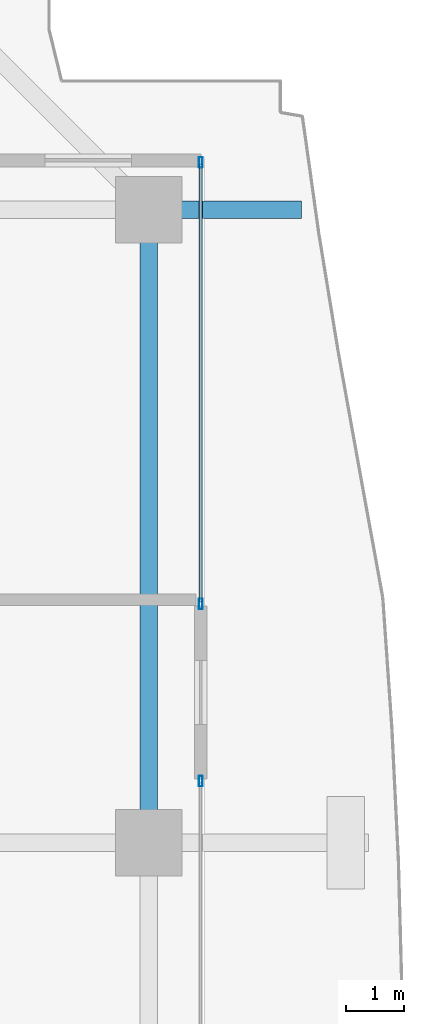
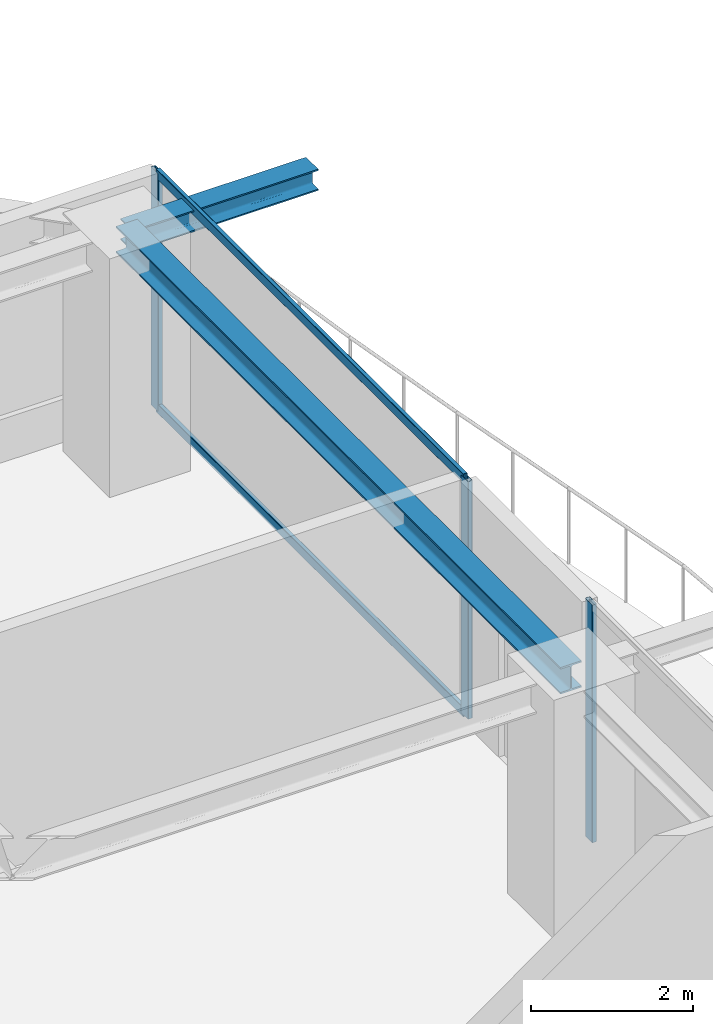
# One storey, part 23 of 37: 5 members, 2 beams, 2 elements without a shape of their own.
"""IFC4 building model written with IfcOpenShell, lengths in metres."""

from ifc_helpers import new_model, si_unit, direction, frame, origin, origin_2d, place, context, subcontext, project, spatial, hollow_rectangle, i_section, extrude, source, transform, mapped, material, layer, layer_set, material_profile, profile_set, type_object, element, aggregate, save


model = new_model("IFC4")

# Units and contexts
model_context = context("Model", 3, precision=1e-05, world=origin(), true_north=direction((0.0, 1.0)))
body_context = subcontext(model_context, "Body", "Model", "MODEL_VIEW")
ifc_project = project(units=[si_unit("LENGTHUNIT", "METRE"), si_unit("AREAUNIT", "SQUARE_METRE"), si_unit("VOLUMEUNIT", "CUBIC_METRE"), si_unit("PLANEANGLEUNIT", "RADIAN"), si_unit("MASSUNIT", "GRAM", prefix="KILO")], contexts=[model_context])

# Site, building, storey
site_placement = place(None, origin())
site = spatial("IfcSite", under=ifc_project, at=site_placement, CompositionType="ELEMENT")
building_placement = place(site_placement, origin())
building = spatial("IfcBuilding", under=site, at=building_placement, Name="Serunith Strait Residences", CompositionType="ELEMENT")
storey_placement = place(building_placement, frame((0.0, 0.0, 260.5)))
storey = spatial("IfcBuildingStorey", under=building, at=storey_placement, Name="L65", CompositionType="ELEMENT", Elevation=260.5)

# Beams
ifc_material_1 = material(Name="Steel S355J2", Category="steel")
ifc_material_profile_1 = material_profile(ifc_material_1, i_section(OverallWidth=0.300048828125, OverallDepth=0.39990234375, WebThickness=0.013427734375, FlangeThickness=0.02392578125, FilletRadius=0.027099609375, at=origin_2d()), Name="HEB 400")
ifc_profile_set_1 = profile_set([ifc_material_profile_1], Name="Steel S355J2")
beam_type_1 = type_object("IfcBeamType", Name="BM-HEB400", PredefinedType="BEAM", material=ifc_profile_set_1)
shared_shape_1 = source(origin(), body_context, "Body", "SweptSolid", [
    extrude(i_section(OverallWidth=0.300048828125, OverallDepth=0.39990234375, WebThickness=0.013427734375, FlangeThickness=0.02392578125, FilletRadius=0.027099609375, at=origin_2d()), origin(), (0.0, 0.0, 1.0), 10.9501953125),
])
beam_1_placement = place(storey_placement, frame((56.5, 29.39990234375, 3.386962890625), z_axis=(0.0, 1.0, 0.0), x_axis=(-1.0, 0.0, 0.0)))
element("IfcBeam", 1, at=beam_1_placement, inside=storey, type_object=beam_type_1, Name="L65 Perimeter Ring Beam 07", PredefinedType="BEAM", context=body_context, shape_type="MappedRepresentation", body=[
    mapped(shared_shape_1, transform((0.0, 0.0, 0.0), scale=1.0)),
])
ifc_material_profile_2 = material_profile(ifc_material_1, i_section(OverallWidth=0.300048828125, OverallDepth=0.320068359375, WebThickness=0.011474609375, FlangeThickness=0.0205078125, FilletRadius=0.027099609375, at=origin_2d()), Name="HEB 320")
ifc_profile_set_2 = profile_set([ifc_material_profile_2], Name="Steel S355J2")
beam_type_2 = type_object("IfcBeamType", Name="BM-HEB320", PredefinedType="BEAM", material=ifc_profile_set_2)
shared_shape_2 = source(origin(), body_context, "Body", "SweptSolid", [
    extrude(i_section(OverallWidth=0.300048828125, OverallDepth=0.320068359375, WebThickness=0.011474609375, FlangeThickness=0.0205078125, FilletRadius=0.027099609375, at=origin_2d()), origin(), (0.0, 0.0, 1.0), 2.639404296875),
])
beam_2_placement = place(storey_placement, frame((56.5, 40.35009765625, 3.39697265625), z_axis=(1.0, 0.0, 0.0), x_axis=(0.0, 1.0, 0.0)))
element("IfcBeam", 2, at=beam_2_placement, inside=storey, type_object=beam_type_2, Name="L66 Cantilevered Balcony Rib TC-E4", PredefinedType="BEAM", context=body_context, shape_type="MappedRepresentation", body=[
    mapped(shared_shape_2, transform((0.0, 0.0, 0.0), scale=1.0)),
])

# Curtain wall, member
ifc_material_2 = material(Name="Pale-Champagne Anodised Aluminium", Category="aluminium")
ifc_layer = layer(ifc_material_2, 0.199951171875, Name="Pale-Champagne Anodised Aluminium")
ifc_layer_set = layer_set([ifc_layer], Name="Pale-Champagne Anodised Aluminium")
curtain_wall_type = type_object("IfcCurtainWallType", Name="CW-SYS4", PredefinedType="NOTDEFINED", material=ifc_layer_set)
curtain_wall_1_placement = place(storey_placement, origin())
curtain_wall_1 = element("IfcCurtainWall", 3, at=curtain_wall_1_placement, inside=storey, type_object=curtain_wall_type, Name="L65 E Unitised Fritted Curtain Wall", PredefinedType="NOTDEFINED")
ifc_material_profile_3 = material_profile(ifc_material_2, hollow_rectangle(XDim=0.06494140625, YDim=0.179931640625, WallThickness=0.00341796875, InnerFilletRadius=0.00537109375, OuterFilletRadius=0.0087890625, at=origin_2d()), Name="ALU 180x65x3.5")
ifc_profile_set_3 = profile_set([ifc_material_profile_3], Name="Pale-Champagne Anodised Aluminium")
member_type_1 = type_object("IfcMemberType", Name="CW-SYS4-MULL", PredefinedType="MULLION", material=ifc_profile_set_3)
shared_shape_3 = source(origin(), body_context, "Body", "SweptSolid", [
    extrude(hollow_rectangle(XDim=0.06494140625, YDim=0.179931640625, WallThickness=0.00341796875, InnerFilletRadius=0.00537109375, OuterFilletRadius=0.0087890625, at=origin_2d()), origin(), (0.0, 0.0, 1.0), 3.574951171875),
])
member_1_placement = place(storey_placement, frame((57.39990234375, 30.467529296875, 0.0), z_axis=(0.0, 0.0, 1.0), x_axis=(-1.0, 0.0, 0.0)))
member_1 = element("IfcMember", 4, at=member_1_placement, type_object=member_type_1, Name="CW-4 mullion 4", PredefinedType="MULLION", context=body_context, shape_type="MappedRepresentation", body=[
    mapped(shared_shape_3, transform((0.0, 0.0, 0.0), scale=1.0)),
])
aggregate(curtain_wall_1, [member_1])

# Curtain wall, members
curtain_wall_2_placement = place(storey_placement, origin())
curtain_wall_2 = element("IfcCurtainWall", 5, at=curtain_wall_2_placement, inside=storey, type_object=curtain_wall_type, Name="L65 E Unitised Fritted Curtain Wall", PredefinedType="NOTDEFINED")
member_2_placement = place(storey_placement, frame((57.39990234375, 33.532470703125, 0.0), z_axis=(0.0, 0.0, 1.0), x_axis=(-1.0, 0.0, 0.0)))
member_2 = element("IfcMember", 6, at=member_2_placement, type_object=member_type_1, Name="CW-4 mullion 1", PredefinedType="MULLION", context=body_context, shape_type="MappedRepresentation", body=[
    mapped(shared_shape_3, transform((0.0, 0.0, 0.0), scale=1.0)),
])
member_3_placement = place(storey_placement, frame((57.39990234375, 41.16748046875, 0.0), z_axis=(0.0, 0.0, 1.0), x_axis=(-1.0, 0.0, 0.0)))
member_3 = element("IfcMember", 7, at=member_3_placement, type_object=member_type_1, Name="CW-4 mullion 2", PredefinedType="MULLION", context=body_context, shape_type="MappedRepresentation", body=[
    mapped(shared_shape_3, transform((0.0, 0.0, 0.0), scale=1.0)),
])
ifc_material_profile_4 = material_profile(ifc_material_2, hollow_rectangle(XDim=0.06005859375, YDim=0.139892578125, WallThickness=0.00341796875, InnerFilletRadius=0.00537109375, OuterFilletRadius=0.0087890625, at=origin_2d()), Name="ALU 140x60x3.5")
ifc_profile_set_4 = profile_set([ifc_material_profile_4], Name="Pale-Champagne Anodised Aluminium")
member_type_2 = type_object("IfcMemberType", Name="CW-SYS4-TRAN", PredefinedType="USERDEFINED", material=ifc_profile_set_4)
shared_shape_4 = source(origin(), body_context, "Body", "SweptSolid", [
    extrude(hollow_rectangle(XDim=0.06005859375, YDim=0.139892578125, WallThickness=0.00341796875, InnerFilletRadius=0.00537109375, OuterFilletRadius=0.0087890625, at=origin_2d()), origin(), (0.0, 0.0, 1.0), 7.570068359375),
])
member_4_placement = place(storey_placement, frame((57.39990234375, 33.56494140625, 0.030029296875), z_axis=(0.0, 1.0, 0.0), x_axis=(-1.0, 0.0, 0.0)))
member_4 = element("IfcMember", 8, at=member_4_placement, type_object=member_type_2, Name="CW-4 transom 1.1", ObjectType="TRANSOM", PredefinedType="USERDEFINED", context=body_context, shape_type="MappedRepresentation", body=[
    mapped(shared_shape_4, transform((0.0, 0.0, 0.0), scale=1.0)),
])
member_5_placement = place(storey_placement, frame((57.39990234375, 33.56494140625, 3.544921875), z_axis=(0.0, 1.0, 0.0), x_axis=(-1.0, 0.0, 0.0)))
member_5 = element("IfcMember", 9, at=member_5_placement, type_object=member_type_2, Name="CW-4 transom 1.2", ObjectType="TRANSOM", PredefinedType="USERDEFINED", context=body_context, shape_type="MappedRepresentation", body=[
    mapped(shared_shape_4, transform((0.0, 0.0, 0.0), scale=1.0)),
])
aggregate(curtain_wall_2, [member_2, member_3, member_4, member_5])

save(model, "model.ifc")
